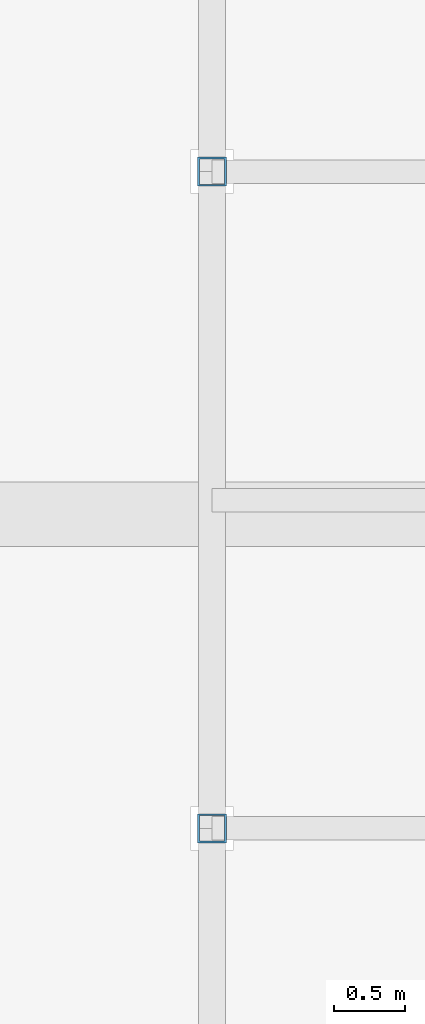
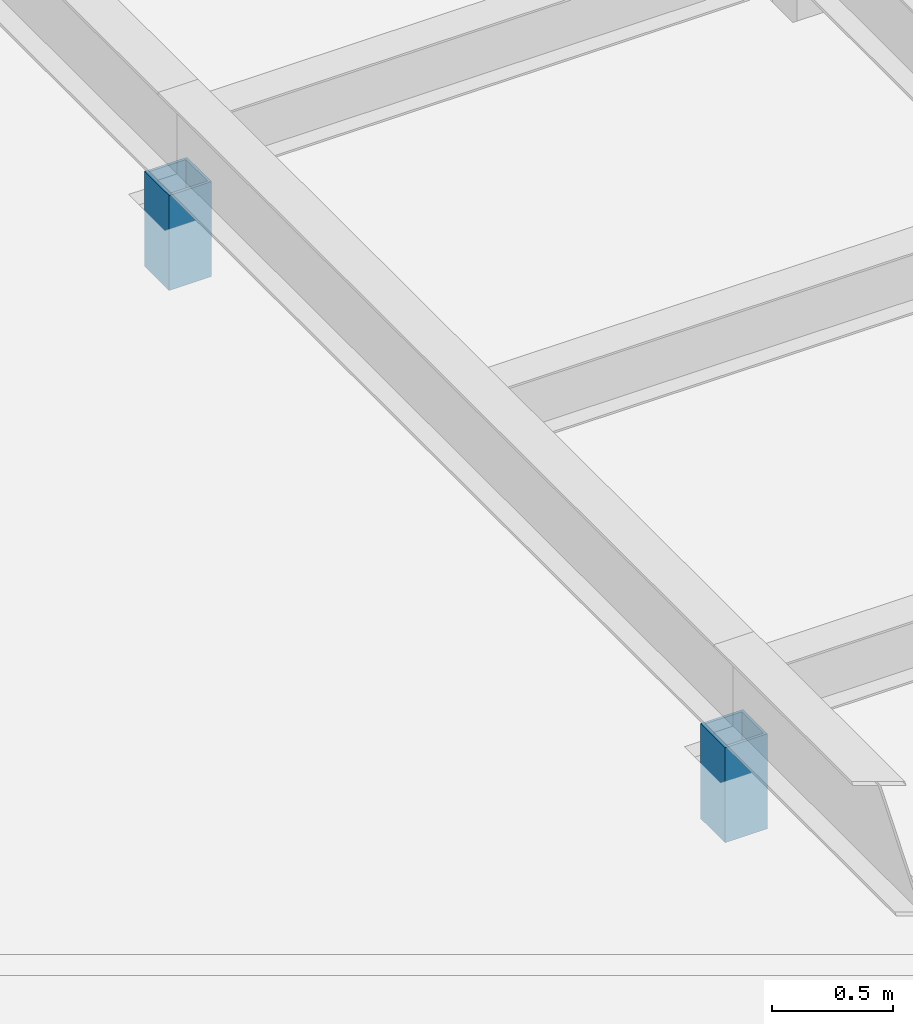
# One storey, part 5 of 17: 2 members.
"""IFC4 building model written with IfcOpenShell, lengths in metres."""

from ifc_helpers import new_model, si_unit, direction, frame, origin, origin_2d, place, context, subcontext, project, spatial, hollow_rectangle, extrude, material, material_profile, profile_set, type_object, element, save


model = new_model("IFC4")

# Units and contexts
model_context = context("Model", 3, precision=1e-05, world=origin(), true_north=direction((0.0, 1.0)))
body_context = subcontext(model_context, "Body", "Model", "MODEL_VIEW")
ifc_project = project(units=[si_unit("LENGTHUNIT", "METRE"), si_unit("AREAUNIT", "SQUARE_METRE"), si_unit("VOLUMEUNIT", "CUBIC_METRE"), si_unit("PLANEANGLEUNIT", "RADIAN"), si_unit("MASSUNIT", "GRAM", prefix="KILO")], contexts=[model_context])

# Site, building, storey
site_placement = place(None, origin())
site = spatial("IfcSite", under=ifc_project, at=site_placement, CompositionType="ELEMENT")
building_placement = place(site_placement, origin())
building = spatial("IfcBuilding", under=site, at=building_placement, Name="Jalousie Tower", CompositionType="ELEMENT")
storey_placement = place(building_placement, frame((0.0, 0.0, 16.0)))
storey = spatial("IfcBuildingStorey", under=building, at=storey_placement, Name="L03", CompositionType="ELEMENT", Elevation=16.0)

# Members
ifc_material = material(Name="Steel ASTM A500 Grade C", Category="steel")
ifc_material_profile = material_profile(ifc_material, hollow_rectangle(XDim=0.203125, YDim=0.203125, WallThickness=0.0126953125, at=origin_2d()), Name="HSS8X8X1/2")
ifc_profile_set = profile_set([ifc_material_profile], Name="Steel ASTM A500 Grade C")
member_type = type_object("IfcMemberType", Name="PLANT SUPPORT STOOL HSS8X8X1/2", PredefinedType="POST", material=ifc_profile_set)
for number, where, z_axis, x_axis, name in (
    (1, (52.85009765625, 17.60009765625, -0.280029296875), (0.0, 0.0, 1.0), (1.0, 0.0, 0.0), "Plant support stool Air handling plant room L03"),
    (2, (52.85009765625, 22.199951171875, -0.280029296875), (0.0, 0.0, 1.0), (1.0, 0.0, 0.0), "Plant support stool Air handling plant room L03"),
):
    element("IfcMember", number, at=place(storey_placement, frame(where, z_axis=z_axis, x_axis=x_axis)), inside=storey, type_object=member_type, Name=name, PredefinedType="POST", context=body_context, shape_type="SweptSolid", body=[
        extrude(hollow_rectangle(XDim=0.203125, YDim=0.203125, WallThickness=0.0126953125, at=origin_2d()), origin(), (0.0, 0.0, 1.0), 0.47998046875),
    ])

save(model, "model.ifc")
